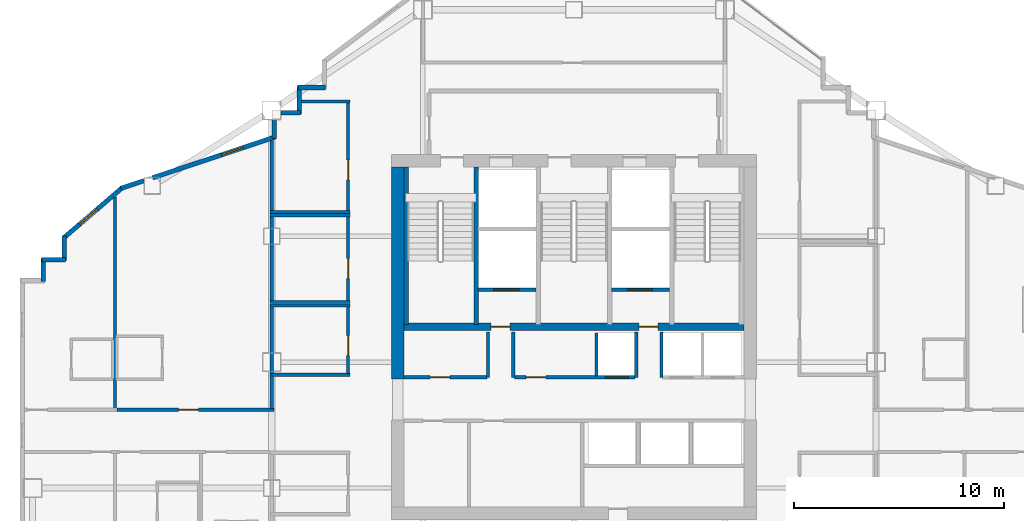
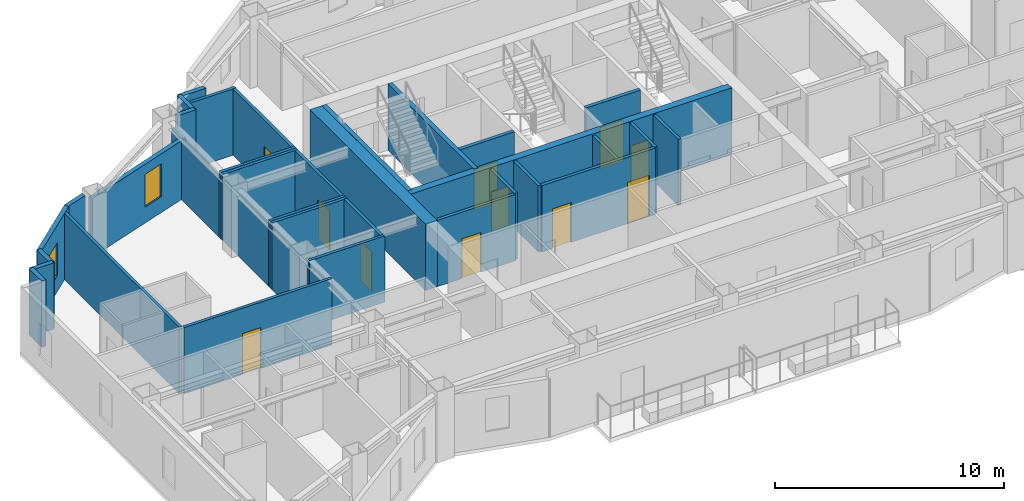
# One storey, part 6 of 12: 38 walls, 11 doors, 2 windows, 13 openings.
"""IFC4 building model written with IfcOpenShell, lengths in metres."""

from ifc_helpers import new_model, si_unit, direction, frame, frame_2d, origin, place, context, subcontext, project, spatial, rectangle, extrude, material, layer, layer_set, type_object, element, fill, save


model = new_model("IFC4")

# Units and contexts
model_context = context("Model", 3, precision=1e-05, world=origin(), true_north=direction((0.0, 1.0)))
body_context = subcontext(model_context, "Body", "Model", "MODEL_VIEW")
ifc_project = project(units=[si_unit("LENGTHUNIT", "METRE"), si_unit("AREAUNIT", "SQUARE_METRE"), si_unit("VOLUMEUNIT", "CUBIC_METRE"), si_unit("PLANEANGLEUNIT", "RADIAN"), si_unit("MASSUNIT", "GRAM", prefix="KILO")], contexts=[model_context])

# Site, building, storey
site_placement = place(None, origin())
site = spatial("IfcSite", under=ifc_project, at=site_placement, CompositionType="ELEMENT")
building_placement = place(site_placement, origin())
building = spatial("IfcBuilding", under=site, at=building_placement, Name="Haolan Belvedere Tower", CompositionType="ELEMENT")
storey_placement = place(building_placement, frame((0.0, 0.0, 203.199951171875)))
storey = spatial("IfcBuildingStorey", under=building, at=storey_placement, Name="L51", CompositionType="ELEMENT", Elevation=203.199951171875)

# Walls
ifc_material_1 = material(Name="Concrete C60/75", Category="concrete")
ifc_layer_1 = layer(ifc_material_1, 0.60009765625, Name="Concrete C60/75")
ifc_layer_set_1 = layer_set([ifc_layer_1], Name="Concrete C60/75")
wall_type_1 = type_object("IfcWallType", Name="WL-CORE-600", PredefinedType="SHEAR", material=ifc_layer_set_1)
wall_1_placement = place(storey_placement, frame((30.0, 32.800048828125, 0.0), z_axis=(0.0, 0.0, 1.0), x_axis=(0.0, 1.0, 0.0)))
element("IfcWall", 1, at=wall_1_placement, inside=storey, type_object=wall_type_1, Name="L51 central core shear wall WN", PredefinedType="SHEAR", context=body_context, shape_type="SweptSolid", body=[
    extrude(rectangle(XDim=10.099853515625, YDim=0.60009765625, at=frame_2d((5.0498046875, 0.0))), origin(), (0.0, 0.0, 1.0), 3.5400390625),
])
ifc_material_2 = material(Name="Precast concrete C40/50", Category="concrete")
ifc_layer_2 = layer(ifc_material_2, 0.219970703125, Name="Precast concrete C40/50")
ifc_layer_set_2 = layer_set([ifc_layer_2], Name="Precast concrete C40/50")
wall_type_2 = type_object("IfcWallType", Name="WL-EXT-220", PredefinedType="SOLIDWALL", material=ifc_layer_set_2)
for number, where, z_axis, x_axis, name in (
    (2, (26.56494140625, 46.68994140625, 0.0), (0.0, 0.0, 1.0), (-1.0, 0.0, 0.0), "L51 pale-metal exterior spandrel wall 25.1"),
    (3, (25.31005859375, 46.7451171875, 0.0), (0.0, 0.0, 1.0), (0.0, -1.0, 0.0), "L51 pale-metal exterior spandrel wall 26.1"),
):
    element("IfcWall", number, at=place(storey_placement, frame(where, z_axis=z_axis, x_axis=x_axis)), inside=storey, type_object=wall_type_2, Name=name, PredefinedType="SOLIDWALL", context=body_context, shape_type="SweptSolid", body=[
        extrude(rectangle(XDim=1.31005859375, YDim=0.219970703125, at=frame_2d((0.655029296875, 0.0))), origin(), (0.0, 0.0, 1.0), 3.5400390625),
    ])
wall_2_placement = place(storey_placement, frame((25.364990234375, 45.489990234375, 0.0), z_axis=(0.0, 0.0, 1.0), x_axis=(-1.0, 0.0, 0.0)))
element("IfcWall", 4, at=wall_2_placement, inside=storey, type_object=wall_type_2, Name="L51 pale-metal exterior spandrel wall 27.1", PredefinedType="SOLIDWALL", context=body_context, shape_type="SweptSolid", body=[
    extrude(rectangle(XDim=0.923095703125, YDim=0.219970703125, at=frame_2d((0.46142578125, 0.0))), origin(), (0.0, 0.0, 1.0), 3.5400390625),
])
wall_3_placement = place(storey_placement, frame((24.110107421875, 45.157958984375, 0.0), z_axis=(0.0, 0.0, 1.0), x_axis=(0.0, -1.0, 0.0)))
element("IfcWall", 5, at=wall_3_placement, inside=storey, type_object=wall_type_2, Name="L51 pale-metal exterior spandrel wall 28.1", PredefinedType="SOLIDWALL", context=body_context, shape_type="SweptSolid", body=[
    extrude(rectangle(XDim=0.892333984375, YDim=0.219970703125, at=frame_2d((0.4462890625, 0.0))), origin(), (0.0, 0.0, 1.0), 3.135009765625),
])

# Wall, opening, window
wall_4_placement = place(storey_placement, frame((24.162109375, 44.338134765625, 0.0), z_axis=(0.0, 0.0, 1.0), x_axis=(-0.948687265055, -0.316215864755, 0.0)))
wall_4 = element("IfcWall", 6, at=wall_4_placement, inside=storey, type_object=wall_type_2, Name="L51 pale-metal exterior spandrel wall 29.1", PredefinedType="SOLIDWALL", context=body_context, shape_type="SweptSolid", body=[
    extrude(rectangle(XDim=6.154052734375, YDim=0.219970703125, at=frame_2d((3.0771484375, 0.0))), origin(), (0.0, 0.0, 1.0), 3.135009765625),
])
opening_1_placement = place(wall_4_placement, frame((1.60009765625, 0.0, 0.85009765625)))
opening_1 = element("IfcOpeningElement", 7, at=opening_1_placement, cuts=wall_4, Name="Opening W-03", PredefinedType="OPENING", context=body_context, shape_type="SweptSolid", body=[
    extrude(rectangle(XDim=1.10009765625, YDim=1.75, at=frame_2d((0.550048828125, 0.875))), frame((0.0, 0.119873046875, 0.0), z_axis=(0.0, -1.0, 0.0), x_axis=(1.0, 0.0, 0.0)), (0.0, 0.0, 1.0), 0.239990234375),
])
ifc_material_3 = material(Name="Anodised aluminium 6063-T6 and Low-E glass", Category="aluminium")
window_type = type_object("IfcWindowType", Name="WN-DECO-Z3", PartitioningType="SINGLE_PANEL", PredefinedType="WINDOW", material=ifc_material_3)
window_1_placement = place(opening_1_placement, origin())
window_1 = element("IfcWindow", 8, at=window_1_placement, inside=storey, type_object=window_type, Name="L51 Art Deco chevron window 1", OverallHeight=1.75, OverallWidth=1.10009765625, PartitioningType="SINGLE_PANEL", PredefinedType="WINDOW", context=body_context, shape_type="SweptSolid", body=[
    extrude(rectangle(XDim=1.10009765625, YDim=1.75, at=frame_2d((0.550048828125, 0.875))), frame((0.0, 0.030029296875, 0.0), z_axis=(0.0, -1.0, 0.0), x_axis=(1.0, 0.0, 0.0)), (0.0, 0.0, 1.0), 0.06005859375),
])
fill(opening_1, window_1)

# Wall
wall_5_placement = place(storey_placement, frame((17.907958984375, 42.25341796875, 0.0), z_axis=(0.0, 0.0, 1.0), x_axis=(-0.948662335685, -0.316290646166, 0.0)))
element("IfcWall", 9, at=wall_5_placement, inside=storey, type_object=wall_type_2, Name="L51 pale-metal exterior spandrel wall 29.2", PredefinedType="SOLIDWALL", context=body_context, shape_type="SweptSolid", body=[
    extrude(rectangle(XDim=1.164794921875, YDim=0.219970703125, at=frame_2d((0.58251953125, 0.0))), origin(), (0.0, 0.0, 1.0), 3.5400390625),
])

# Wall, opening, window
wall_6_placement = place(storey_placement, frame((16.89697265625, 41.938232421875, 0.0), z_axis=(0.0, 0.0, 1.0), x_axis=(-0.759279729622, -0.650764390686, 0.0)))
wall_6 = element("IfcWall", 10, at=wall_6_placement, inside=storey, type_object=wall_type_2, Name="L51 pale-metal exterior spandrel wall 30.1", PredefinedType="SOLIDWALL", context=body_context, shape_type="SweptSolid", body=[
    extrude(rectangle(XDim=3.725830078125, YDim=0.219970703125, at=frame_2d((1.86279296875, 0.0))), origin(), (0.0, 0.0, 1.0), 3.5400390625),
])
opening_2_placement = place(wall_6_placement, frame((1.60009765625, 0.0, 0.85009765625)))
opening_2 = element("IfcOpeningElement", 11, at=opening_2_placement, cuts=wall_6, Name="Opening W-03", PredefinedType="OPENING", context=body_context, shape_type="SweptSolid", body=[
    extrude(rectangle(XDim=1.10009765625, YDim=1.75, at=frame_2d((0.550048828125, 0.875))), frame((0.0, 0.119873046875, 0.0), z_axis=(0.0, -1.0, 0.0), x_axis=(1.0, 0.0, 0.0)), (0.0, 0.0, 1.0), 0.239990234375),
])
window_2_placement = place(opening_2_placement, origin())
window_2 = element("IfcWindow", 12, at=window_2_placement, inside=storey, type_object=window_type, Name="L51 Art Deco chevron window 1", OverallHeight=1.75, OverallWidth=1.10009765625, PartitioningType="SINGLE_PANEL", PredefinedType="WINDOW", context=body_context, shape_type="SweptSolid", body=[
    extrude(rectangle(XDim=1.10009765625, YDim=1.75, at=frame_2d((0.550048828125, 0.875))), frame((0.0, 0.030029296875, 0.0), z_axis=(0.0, -1.0, 0.0), x_axis=(1.0, 0.0, 0.0)), (0.0, 0.0, 1.0), 0.06005859375),
])
fill(opening_2, window_2)

# Walls
wall_7_placement = place(storey_placement, frame((14.110107421875, 39.6044921875, 0.0), z_axis=(0.0, 0.0, 1.0), x_axis=(0.0, -1.0, 0.0)))
element("IfcWall", 13, at=wall_7_placement, inside=storey, type_object=wall_type_2, Name="L51 pale-metal exterior spandrel wall 31.1", PredefinedType="SOLIDWALL", context=body_context, shape_type="SweptSolid", body=[
    extrude(rectangle(XDim=1.16943359375, YDim=0.219970703125, at=frame_2d((0.584716796875, 0.0))), origin(), (0.0, 0.0, 1.0), 3.5400390625),
])
wall_8_placement = place(storey_placement, frame((14.1650390625, 38.489990234375, 0.0), z_axis=(0.0, 0.0, 1.0), x_axis=(-1.0, 0.0, 0.0)))
element("IfcWall", 14, at=wall_8_placement, inside=storey, type_object=wall_type_2, Name="L51 pale-metal exterior spandrel wall 32.1", PredefinedType="SOLIDWALL", context=body_context, shape_type="SweptSolid", body=[
    extrude(rectangle(XDim=1.110107421875, YDim=0.219970703125, at=frame_2d((0.55517578125, 0.0))), origin(), (0.0, 0.0, 1.0), 3.5400390625),
])
wall_9_placement = place(storey_placement, frame((13.110107421875, 38.544921875, 0.0), z_axis=(0.0, 0.0, 1.0), x_axis=(0.0, -1.0, 0.0)))
element("IfcWall", 15, at=wall_9_placement, inside=storey, type_object=wall_type_2, Name="L51 pale-metal exterior spandrel wall 33.1", PredefinedType="SOLIDWALL", context=body_context, shape_type="SweptSolid", body=[
    extrude(rectangle(XDim=1.10986328125, YDim=0.219970703125, at=frame_2d((0.554931640625, 0.0))), origin(), (0.0, 0.0, 1.0), 3.5400390625),
])
ifc_material_4 = material(Name="Double gypsum acoustic stud partition", Category="masonry")
ifc_layer_3 = layer(ifc_material_4, 0.14990234375, Name="Double gypsum acoustic stud partition")
ifc_layer_set_3 = layer_set([ifc_layer_3], Name="Double gypsum acoustic stud partition")
wall_type_3 = type_object("IfcWallType", Name="WL-PART-150", PredefinedType="PARTITIONING", material=ifc_layer_set_3)
for number, where, z_axis, x_axis, name in (
    (16, (23.919921875, 36.300048828125, 0.0), (0.0, 0.0, 1.0), (1.0, 0.0, 0.0), "L51 interior partition IW-L51-AWC-N"),
    (17, (23.919921875, 33.0, 0.0), (0.0, 0.0, 1.0), (1.0, 0.0, 0.0), "L51 interior partition IW-L51-AWC-S"),
):
    element("IfcWall", number, at=place(storey_placement, frame(where, z_axis=z_axis, x_axis=x_axis)), inside=storey, type_object=wall_type_3, Name=name, PredefinedType="PARTITIONING", context=body_context, shape_type="SweptSolid", body=[
        extrude(rectangle(XDim=3.800048828125, YDim=0.14990234375, at=frame_2d((1.89990234375, 0.0))), origin(), (0.0, 0.0, 1.0), 3.5400390625),
    ])
wall_10_placement = place(storey_placement, frame((24.0, 33.06005859375, 0.0), z_axis=(0.0, 0.0, 1.0), x_axis=(0.0, 1.0, 0.0)))
element("IfcWall", 18, at=wall_10_placement, inside=storey, type_object=wall_type_3, Name="L51 interior partition IW-L51-AWC-W", PredefinedType="PARTITIONING", context=body_context, shape_type="SweptSolid", body=[
    extrude(rectangle(XDim=3.179931640625, YDim=0.14990234375, at=frame_2d((1.58984375, 0.0))), origin(), (0.0, 0.0, 1.0), 3.135009765625),
])

# Wall, opening, door
wall_11_placement = place(storey_placement, frame((27.639892578125, 33.06005859375, 0.0), z_axis=(0.0, 0.0, 1.0), x_axis=(0.0, 1.0, 0.0)))
wall_11 = element("IfcWall", 19, at=wall_11_placement, inside=storey, type_object=wall_type_3, Name="L51 interior partition IW-L51-AWC-E", PredefinedType="PARTITIONING", context=body_context, shape_type="SweptSolid", body=[
    extrude(rectangle(XDim=3.179931640625, YDim=0.14990234375, at=frame_2d((1.58984375, 0.0))), origin(), (0.0, 0.0, 1.0), 3.5400390625),
])
opening_3_placement = place(wall_11_placement, frame((1.81005859375, 0.0, 0.0), z_axis=(0.0, 0.0, 1.0), x_axis=(-1.0, 0.0, 0.0)))
opening_3 = element("IfcOpeningElement", 20, at=opening_3_placement, cuts=wall_11, Name="Opening ID-03", PredefinedType="OPENING", context=body_context, shape_type="SweptSolid", body=[
    extrude(rectangle(XDim=0.949951171875, YDim=2.1201171875, at=frame_2d((0.47509765625, 1.06005859375))), frame((0.0, 0.0849609375, 0.0), z_axis=(0.0, -1.0, 0.0), x_axis=(1.0, 0.0, 0.0)), (0.0, 0.0, 1.0), 0.169921875),
])
ifc_material_5 = material(Name="Painted solid-core timber", Category="wood")
door_type_1 = type_object("IfcDoorType", Name="DR-INT-950", OperationType="NOTDEFINED", PredefinedType="DOOR", material=ifc_material_5)
door_1_placement = place(opening_3_placement, origin())
door_1 = element("IfcDoor", 21, at=door_1_placement, inside=storey, type_object=door_type_1, Name="L51 door ID-L51-AWC", OperationType="SINGLE_SWING_LEFT", OverallHeight=2.1201171875, OverallWidth=0.949951171875, PredefinedType="DOOR", context=body_context, shape_type="SweptSolid", body=[
    extrude(rectangle(XDim=0.949951171875, YDim=2.1201171875, at=frame_2d((0.47509765625, 1.06005859375))), frame((0.0, 0.02490234375, 0.0), z_axis=(0.0, -1.0, 0.0), x_axis=(1.0, 0.0, 0.0)), (0.0, 0.0, 1.0), 0.050048828125),
])
fill(opening_3, door_1)

# Walls
for number, where, z_axis, x_axis, name in (
    (22, (23.919921875, 40.60009765625, 0.0), (0.0, 0.0, 1.0), (1.0, 0.0, 0.0), "L51 interior partition IW-L51-PNT-N"),
    (23, (23.919921875, 36.4599609375, 0.0), (0.0, 0.0, 1.0), (1.0, 0.0, 0.0), "L51 interior partition IW-L51-PNT-S"),
):
    element("IfcWall", number, at=place(storey_placement, frame(where, z_axis=z_axis, x_axis=x_axis)), inside=storey, type_object=wall_type_3, Name=name, PredefinedType="PARTITIONING", context=body_context, shape_type="SweptSolid", body=[
        extrude(rectangle(XDim=3.800048828125, YDim=0.14990234375, at=frame_2d((1.89990234375, 0.0))), origin(), (0.0, 0.0, 1.0), 3.5400390625),
    ])
wall_12_placement = place(storey_placement, frame((24.0, 36.52001953125, 0.0), z_axis=(0.0, 0.0, 1.0), x_axis=(0.0, 1.0, 0.0)))
element("IfcWall", 24, at=wall_12_placement, inside=storey, type_object=wall_type_3, Name="L51 interior partition IW-L51-PNT-W", PredefinedType="PARTITIONING", context=body_context, shape_type="SweptSolid", body=[
    extrude(rectangle(XDim=4.02001953125, YDim=0.14990234375, at=frame_2d((2.010009765625, 0.0))), origin(), (0.0, 0.0, 1.0), 3.135009765625),
])

# Wall, opening, door
wall_13_placement = place(storey_placement, frame((27.639892578125, 36.52001953125, 0.0), z_axis=(0.0, 0.0, 1.0), x_axis=(0.0, 1.0, 0.0)))
wall_13 = element("IfcWall", 25, at=wall_13_placement, inside=storey, type_object=wall_type_3, Name="L51 interior partition IW-L51-PNT-E", PredefinedType="PARTITIONING", context=body_context, shape_type="SweptSolid", body=[
    extrude(rectangle(XDim=4.02001953125, YDim=0.14990234375, at=frame_2d((2.010009765625, 0.0))), origin(), (0.0, 0.0, 1.0), 3.5400390625),
])
opening_4_placement = place(wall_13_placement, frame((2.010009765625, 0.0, 0.0), z_axis=(0.0, 0.0, 1.0), x_axis=(-1.0, 0.0, 0.0)))
opening_4 = element("IfcOpeningElement", 26, at=opening_4_placement, cuts=wall_13, Name="Opening ID-03", PredefinedType="OPENING", context=body_context, shape_type="SweptSolid", body=[
    extrude(rectangle(XDim=0.949951171875, YDim=2.1201171875, at=frame_2d((0.47509765625, 1.06005859375))), frame((0.0, 0.0849609375, 0.0), z_axis=(0.0, -1.0, 0.0), x_axis=(1.0, 0.0, 0.0)), (0.0, 0.0, 1.0), 0.169921875),
])
door_2_placement = place(opening_4_placement, origin())
door_2 = element("IfcDoor", 27, at=door_2_placement, inside=storey, type_object=door_type_1, Name="L51 door ID-L51-PNT", OperationType="SINGLE_SWING_RIGHT", OverallHeight=2.1201171875, OverallWidth=0.949951171875, PredefinedType="DOOR", context=body_context, shape_type="SweptSolid", body=[
    extrude(rectangle(XDim=0.949951171875, YDim=2.1201171875, at=frame_2d((0.47509765625, 1.06005859375))), frame((0.0, 0.02490234375, 0.0), z_axis=(0.0, -1.0, 0.0), x_axis=(1.0, 0.0, 0.0)), (0.0, 0.0, 1.0), 0.050048828125),
])
fill(opening_4, door_2)

# Walls
wall_14_placement = place(storey_placement, frame((25.412109375, 46.02001953125, 0.0), z_axis=(0.0, 0.0, 1.0), x_axis=(1.0, 0.0, 0.0)))
element("IfcWall", 28, at=wall_14_placement, inside=storey, type_object=wall_type_3, Name="L51 interior partition IW-L51-STY-N", PredefinedType="PARTITIONING", context=body_context, shape_type="SweptSolid", body=[
    extrude(rectangle(XDim=2.307861328125, YDim=0.14990234375, at=frame_2d((1.15380859375, 0.0))), origin(), (0.0, 0.0, 1.0), 3.5400390625),
])
wall_15_placement = place(storey_placement, frame((23.919921875, 40.760009765625, 0.0), z_axis=(0.0, 0.0, 1.0), x_axis=(1.0, 0.0, 0.0)))
element("IfcWall", 29, at=wall_15_placement, inside=storey, type_object=wall_type_3, Name="L51 interior partition IW-L51-STY-S", PredefinedType="PARTITIONING", context=body_context, shape_type="SweptSolid", body=[
    extrude(rectangle(XDim=3.800048828125, YDim=0.14990234375, at=frame_2d((1.89990234375, 0.0))), origin(), (0.0, 0.0, 1.0), 3.5400390625),
])
wall_16_placement = place(storey_placement, frame((24.0, 40.820068359375, 0.0), z_axis=(0.0, 0.0, 1.0), x_axis=(0.0, 1.0, 0.0)))
element("IfcWall", 30, at=wall_16_placement, inside=storey, type_object=wall_type_3, Name="L51 interior partition IW-L51-STY-W", PredefinedType="PARTITIONING", context=body_context, shape_type="SweptSolid", body=[
    extrude(rectangle(XDim=3.3564453125, YDim=0.14990234375, at=frame_2d((1.67822265625, 0.0))), origin(), (0.0, 0.0, 1.0), 3.135009765625),
])

# Wall, opening, door
wall_17_placement = place(storey_placement, frame((27.639892578125, 40.820068359375, 0.0), z_axis=(0.0, 0.0, 1.0), x_axis=(0.0, 1.0, 0.0)))
wall_17 = element("IfcWall", 31, at=wall_17_placement, inside=storey, type_object=wall_type_3, Name="L51 interior partition IW-L51-STY-E", PredefinedType="PARTITIONING", context=body_context, shape_type="SweptSolid", body=[
    extrude(rectangle(XDim=5.139892578125, YDim=0.14990234375, at=frame_2d((2.56982421875, 0.0))), origin(), (0.0, 0.0, 1.0), 3.5400390625),
])
opening_5_placement = place(wall_17_placement, frame((2.409912109375, 0.0, 0.0), z_axis=(0.0, 0.0, 1.0), x_axis=(-1.0, 0.0, 0.0)))
opening_5 = element("IfcOpeningElement", 32, at=opening_5_placement, cuts=wall_17, Name="Opening ID-03", PredefinedType="OPENING", context=body_context, shape_type="SweptSolid", body=[
    extrude(rectangle(XDim=0.949951171875, YDim=2.1201171875, at=frame_2d((0.47509765625, 1.06005859375))), frame((0.0, 0.0849609375, 0.0), z_axis=(0.0, -1.0, 0.0), x_axis=(1.0, 0.0, 0.0)), (0.0, 0.0, 1.0), 0.169921875),
])
door_3_placement = place(opening_5_placement, origin())
door_3 = element("IfcDoor", 33, at=door_3_placement, inside=storey, type_object=door_type_1, Name="L51 door ID-L51-STY", OperationType="SINGLE_SWING_LEFT", OverallHeight=2.1201171875, OverallWidth=0.949951171875, PredefinedType="DOOR", context=body_context, shape_type="SweptSolid", body=[
    extrude(rectangle(XDim=0.949951171875, YDim=2.1201171875, at=frame_2d((0.47509765625, 1.06005859375))), frame((0.0, 0.02490234375, 0.0), z_axis=(0.0, -1.0, 0.0), x_axis=(1.0, 0.0, 0.0)), (0.0, 0.0, 1.0), 0.050048828125),
])
fill(opening_5, door_3)

# Wall
wall_18_placement = place(storey_placement, frame((16.52001953125, 31.389892578125, 0.0), z_axis=(0.0, 0.0, 1.0), x_axis=(0.0, 1.0, 0.0)))
element("IfcWall", 34, at=wall_18_placement, inside=storey, type_object=wall_type_3, Name="L51 interior partition IW-L51-T2N1-E", PredefinedType="PARTITIONING", context=body_context, shape_type="SweptSolid", body=[
    extrude(rectangle(XDim=10.0908203125, YDim=0.14990234375, at=frame_2d((5.04541015625, 0.0))), origin(), (0.0, 0.0, 1.0), 3.5400390625),
])

# Wall, opening, door
wall_19_placement = place(storey_placement, frame((16.6220703125, 31.330078125, 0.0), z_axis=(0.0, 0.0, 1.0), x_axis=(1.0, 0.0, 0.0)))
wall_19 = element("IfcWall", 35, at=wall_19_placement, inside=storey, type_object=wall_type_3, Name="L51 interior partition IW-L51-T2N2-S", PredefinedType="PARTITIONING", context=body_context, shape_type="SweptSolid", body=[
    extrude(rectangle(XDim=7.47802734375, YDim=0.14990234375, at=frame_2d((3.739013671875, 0.0))), origin(), (0.0, 0.0, 1.0), 3.5400390625),
])
opening_6_placement = place(wall_19_placement, frame((2.935546875, 0.0, 0.0)))
opening_6 = element("IfcOpeningElement", 36, at=opening_6_placement, cuts=wall_19, Name="Opening ID-01", PredefinedType="OPENING", context=body_context, shape_type="SweptSolid", body=[
    extrude(rectangle(XDim=0.949951171875, YDim=2.179931640625, at=frame_2d((0.47509765625, 1.08984375))), frame((0.0, 0.0849609375, 0.0), z_axis=(0.0, -1.0, 0.0), x_axis=(1.0, 0.0, 0.0)), (0.0, 0.0, 1.0), 0.169921875),
])
ifc_material_6 = material(Name="Acoustic walnut veneer fire-rated timber", Category="wood")
door_type_2 = type_object("IfcDoorType", Name="DR-SUITE-950", OperationType="NOTDEFINED", PredefinedType="DOOR", material=ifc_material_6)
door_4_placement = place(opening_6_placement, origin())
door_4 = element("IfcDoor", 37, at=door_4_placement, inside=storey, type_object=door_type_2, Name="L51 door ID-L51-T2N2-ENT", OperationType="SINGLE_SWING_RIGHT", OverallHeight=2.179931640625, OverallWidth=0.949951171875, PredefinedType="DOOR", context=body_context, shape_type="SweptSolid", body=[
    extrude(rectangle(XDim=0.949951171875, YDim=2.179931640625, at=frame_2d((0.47509765625, 1.08984375))), frame((0.0, 0.02490234375, 0.0), z_axis=(0.0, -1.0, 0.0), x_axis=(1.0, 0.0, 0.0)), (0.0, 0.0, 1.0), 0.050048828125),
])
fill(opening_6, door_4)

# Walls
wall_20_placement = place(storey_placement, frame((24.0, 31.389892578125, 0.0), z_axis=(0.0, 0.0, 1.0), x_axis=(0.0, 1.0, 0.0)))
element("IfcWall", 38, at=wall_20_placement, inside=storey, type_object=wall_type_3, Name="L51 interior partition IW-L51-T2N2-E", PredefinedType="PARTITIONING", context=body_context, shape_type="SweptSolid", body=[
    extrude(rectangle(XDim=1.550048828125, YDim=0.14990234375, at=frame_2d((0.77490234375, 0.0))), origin(), (0.0, 0.0, 1.0), 3.135009765625),
])
ifc_material_7 = material(Name="Gypsum fire shaftwall assembly", Category="masonry")
ifc_layer_4 = layer(ifc_material_7, 0.1650390625, Name="Gypsum fire shaftwall assembly")
ifc_layer_set_4 = layer_set([ifc_layer_4], Name="Gypsum fire shaftwall assembly")
wall_type_4 = type_object("IfcWallType", Name="WL-SHAFT-160", PredefinedType="SOLIDWALL", material=ifc_layer_set_4)
for number, where, z_axis, x_axis, name in (
    (39, (34.31005859375, 32.8798828125, 0.0), (0.0, 0.0, 1.0), (0.0, 1.0, 0.0), "L51 interior partition IW-L51-SVP-W-SV1"),
    (40, (35.510009765625, 32.8798828125, 0.0), (0.0, 0.0, 1.0), (0.0, 1.0, 0.0), "L51 interior partition IW-L51-SVP-E-SV1"),
    (41, (41.3701171875, 32.8798828125, 0.0), (0.0, 0.0, 1.0), (0.0, 1.0, 0.0), "L51 interior partition IW-L51-SVP-W-SV2"),
    (42, (42.570068359375, 32.8798828125, 0.0), (0.0, 0.0, 1.0), (0.0, 1.0, 0.0), "L51 interior partition IW-L51-SVP-E-SV2"),
):
    element("IfcWall", number, at=place(storey_placement, frame(where, z_axis=z_axis, x_axis=x_axis)), inside=storey, type_object=wall_type_4, Name=name, PredefinedType="SOLIDWALL", context=body_context, shape_type="SweptSolid", body=[
        extrude(rectangle(XDim=2.170166015625, YDim=0.14990234375, at=frame_2d((1.0849609375, 0.0))), origin(), (0.0, 0.0, 1.0), 3.5400390625),
    ])

# Wall, opening, door
wall_21_placement = place(storey_placement, frame((30.300048828125, 32.8798828125, 0.0), z_axis=(0.0, 0.0, 1.0), x_axis=(1.0, 0.0, 0.0)))
wall_21 = element("IfcWall", 43, at=wall_21_placement, inside=storey, type_object=wall_type_4, Name="L51 interior partition IW-L51-ROW-PN1", PredefinedType="SOLIDWALL", context=body_context, shape_type="SweptSolid", body=[
    extrude(rectangle(XDim=3.949951171875, YDim=0.159912109375, at=frame_2d((1.97509765625, 0.0))), origin(), (0.0, 0.0, 1.0), 3.5400390625),
])
opening_7_placement = place(wall_21_placement, frame((2.199951171875, 0.0, 0.0), z_axis=(0.0, 0.0, 1.0), x_axis=(-1.0, 0.0, 0.0)))
opening_7 = element("IfcOpeningElement", 44, at=opening_7_placement, cuts=wall_21, Name="Opening ID-03", PredefinedType="OPENING", context=body_context, shape_type="SweptSolid", body=[
    extrude(rectangle(XDim=0.949951171875, YDim=2.1201171875, at=frame_2d((0.47509765625, 1.06005859375))), frame((0.0, 0.08984375, 0.0), z_axis=(0.0, -1.0, 0.0), x_axis=(1.0, 0.0, 0.0)), (0.0, 0.0, 1.0), 0.179931640625),
])
door_5_placement = place(opening_7_placement, origin())
door_5 = element("IfcDoor", 45, at=door_5_placement, inside=storey, type_object=door_type_1, Name="L51 door ID-L51-CD-RPLW", OperationType="SINGLE_SWING_LEFT", OverallHeight=2.1201171875, OverallWidth=0.949951171875, PredefinedType="DOOR", context=body_context, shape_type="SweptSolid", body=[
    extrude(rectangle(XDim=0.949951171875, YDim=2.1201171875, at=frame_2d((0.47509765625, 1.06005859375))), frame((0.0, 0.02490234375, 0.0), z_axis=(0.0, -1.0, 0.0), x_axis=(1.0, 0.0, 0.0)), (0.0, 0.0, 1.0), 0.050048828125),
])
fill(opening_7, door_5)

# Wall, openings, doors
wall_22_placement = place(storey_placement, frame((35.570068359375, 32.8798828125, 0.0), z_axis=(0.0, 0.0, 1.0), x_axis=(1.0, 0.0, 0.0)))
wall_22 = element("IfcWall", 46, at=wall_22_placement, inside=storey, type_object=wall_type_4, Name="L51 interior partition IW-L51-ROW-PN2", PredefinedType="SOLIDWALL", context=body_context, shape_type="SweptSolid", body=[
    extrude(rectangle(XDim=5.739990234375, YDim=0.159912109375, at=frame_2d((2.8701171875, 0.0))), origin(), (0.0, 0.0, 1.0), 3.5400390625),
])
opening_8_placement = place(wall_22_placement, frame((1.489990234375, 0.0, 0.0), z_axis=(0.0, 0.0, 1.0), x_axis=(-1.0, 0.0, 0.0)))
opening_8 = element("IfcOpeningElement", 47, at=opening_8_placement, cuts=wall_22, Name="Opening ID-03", PredefinedType="OPENING", context=body_context, shape_type="SweptSolid", body=[
    extrude(rectangle(XDim=0.949951171875, YDim=2.1201171875, at=frame_2d((0.47509765625, 1.06005859375))), frame((0.0, 0.08984375, 0.0), z_axis=(0.0, -1.0, 0.0), x_axis=(1.0, 0.0, 0.0)), (0.0, 0.0, 1.0), 0.179931640625),
])
opening_9_placement = place(wall_22_placement, frame((5.43017578125, 0.0, 0.0), z_axis=(0.0, 0.0, 1.0), x_axis=(-1.0, 0.0, 0.0)))
opening_9 = element("IfcOpeningElement", 48, at=opening_9_placement, cuts=wall_22, Name="Opening LD-01", PredefinedType="OPENING", context=body_context, shape_type="SweptSolid", body=[
    extrude(rectangle(XDim=1.10009765625, YDim=2.199951171875, at=frame_2d((0.550048828125, 1.10009765625))), frame((0.0, 0.08984375, 0.0), z_axis=(0.0, -1.0, 0.0), x_axis=(1.0, 0.0, 0.0)), (0.0, 0.0, 1.0), 0.179931640625),
])
door_6_placement = place(opening_8_placement, origin())
door_6 = element("IfcDoor", 49, at=door_6_placement, inside=storey, type_object=door_type_1, Name="L51 door ID-L51-CD-RPLE", OperationType="SINGLE_SWING_RIGHT", OverallHeight=2.1201171875, OverallWidth=0.949951171875, PredefinedType="DOOR", context=body_context, shape_type="SweptSolid", body=[
    extrude(rectangle(XDim=0.949951171875, YDim=2.1201171875, at=frame_2d((0.47509765625, 1.06005859375))), frame((0.0, 0.02490234375, 0.0), z_axis=(0.0, -1.0, 0.0), x_axis=(1.0, 0.0, 0.0)), (0.0, 0.0, 1.0), 0.050048828125),
])
fill(opening_8, door_6)
ifc_material_8 = material(Name="Brushed champagne stainless steel 316L", Category="steel")
door_type_3 = type_object("IfcDoorType", Name="DR-LIFT-1100", OperationType="SLIDING_TO_LEFT", PredefinedType="DOOR", material=ifc_material_8)
door_7_placement = place(opening_9_placement, origin())
door_7 = element("IfcDoor", 50, at=door_7_placement, inside=storey, type_object=door_type_3, Name="L51 door ID-L51-LD-PH1", OperationType="SLIDING_TO_RIGHT", OverallHeight=2.199951171875, OverallWidth=1.10009765625, PredefinedType="DOOR", context=body_context, shape_type="SweptSolid", body=[
    extrude(rectangle(XDim=1.10009765625, YDim=2.199951171875, at=frame_2d((0.550048828125, 1.10009765625))), frame((0.0, 0.02490234375, 0.0), z_axis=(0.0, -1.0, 0.0), x_axis=(1.0, 0.0, 0.0)), (0.0, 0.0, 1.0), 0.050048828125),
])
fill(opening_9, door_7)

# Wall
wall_23_placement = place(storey_placement, frame((39.469970703125, 32.949951171875, 0.0), z_axis=(0.0, 0.0, 1.0), x_axis=(0.0, 1.0, 0.0)))
element("IfcWall", 51, at=wall_23_placement, inside=storey, type_object=wall_type_4, Name="L51 interior partition IW-L51-DIV-PL4R", PredefinedType="SOLIDWALL", context=body_context, shape_type="SweptSolid", body=[
    extrude(rectangle(XDim=2.050048828125, YDim=0.14990234375, at=frame_2d((1.02490234375, 0.0))), origin(), (0.0, 0.0, 1.0), 3.5400390625),
])

# Wall, opening, door
ifc_layer_5 = layer(ifc_material_2, 0.179931640625, Name="Precast concrete C40/50")
ifc_layer_set_5 = layer_set([ifc_layer_5], Name="Precast concrete C40/50")
wall_type_5 = type_object("IfcWallType", Name="WL-SHAFT-180", PredefinedType="SOLIDWALL", material=ifc_layer_set_5)
wall_24_placement = place(storey_placement, frame((33.8349609375, 37.050048828125, 0.0), z_axis=(0.0, 0.0, 1.0), x_axis=(1.0, 0.0, 0.0)))
wall_24 = element("IfcWall", 52, at=wall_24_placement, inside=storey, type_object=wall_type_5, Name="L51 interior partition IW-L51-SV1-S", PredefinedType="SOLIDWALL", context=body_context, shape_type="SweptSolid", body=[
    extrude(rectangle(XDim=2.77001953125, YDim=0.179931640625, at=frame_2d((1.385009765625, 0.0))), origin(), (0.0, 0.0, 1.0), 3.5400390625),
])
opening_10_placement = place(wall_24_placement, frame((1.945068359375, 0.0, 0.0), z_axis=(0.0, 0.0, 1.0), x_axis=(-1.0, 0.0, 0.0)))
opening_10 = element("IfcOpeningElement", 53, at=opening_10_placement, cuts=wall_24, Name="Opening LD-02", PredefinedType="OPENING", context=body_context, shape_type="SweptSolid", body=[
    extrude(rectangle(XDim=1.199951171875, YDim=2.199951171875, at=frame_2d((0.60009765625, 1.10009765625))), frame((0.0, 0.099853515625, 0.0), z_axis=(0.0, -1.0, 0.0), x_axis=(1.0, 0.0, 0.0)), (0.0, 0.0, 1.0), 0.199951171875),
])
door_type_4 = type_object("IfcDoorType", Name="DR-LIFT-1200", OperationType="SLIDING_TO_RIGHT", PredefinedType="DOOR", material=ifc_material_8)
door_8_placement = place(opening_10_placement, origin())
door_8 = element("IfcDoor", 54, at=door_8_placement, inside=storey, type_object=door_type_4, Name="L51 door ID-L51-LD-SV1", OperationType="SLIDING_TO_RIGHT", OverallHeight=2.199951171875, OverallWidth=1.199951171875, PredefinedType="DOOR", context=body_context, shape_type="SweptSolid", body=[
    extrude(rectangle(XDim=1.199951171875, YDim=2.199951171875, at=frame_2d((0.60009765625, 1.10009765625))), frame((0.0, 0.02490234375, 0.0), z_axis=(0.0, -1.0, 0.0), x_axis=(1.0, 0.0, 0.0)), (0.0, 0.0, 1.0), 0.050048828125),
])
fill(opening_10, door_8)

wall_25_placement = place(storey_placement, frame((40.195068359375, 37.050048828125, 0.0), z_axis=(0.0, 0.0, 1.0), x_axis=(1.0, 0.0, 0.0)))
wall_25 = element("IfcWall", 55, at=wall_25_placement, inside=storey, type_object=wall_type_5, Name="L51 interior partition IW-L51-SV2-S", PredefinedType="SOLIDWALL", context=body_context, shape_type="SweptSolid", body=[
    extrude(rectangle(XDim=2.77001953125, YDim=0.179931640625, at=frame_2d((1.385009765625, 0.0))), origin(), (0.0, 0.0, 1.0), 3.5400390625),
])
opening_11_placement = place(wall_25_placement, frame((1.945068359375, 0.0, 0.0), z_axis=(0.0, 0.0, 1.0), x_axis=(-1.0, 0.0, 0.0)))
opening_11 = element("IfcOpeningElement", 56, at=opening_11_placement, cuts=wall_25, Name="Opening LD-02", PredefinedType="OPENING", context=body_context, shape_type="SweptSolid", body=[
    extrude(rectangle(XDim=1.199951171875, YDim=2.199951171875, at=frame_2d((0.60009765625, 1.10009765625))), frame((0.0, 0.099853515625, 0.0), z_axis=(0.0, -1.0, 0.0), x_axis=(1.0, 0.0, 0.0)), (0.0, 0.0, 1.0), 0.199951171875),
])
door_9_placement = place(opening_11_placement, origin())
door_9 = element("IfcDoor", 57, at=door_9_placement, inside=storey, type_object=door_type_4, Name="L51 door ID-L51-LD-SV2", OperationType="SLIDING_TO_RIGHT", OverallHeight=2.199951171875, OverallWidth=1.199951171875, PredefinedType="DOOR", context=body_context, shape_type="SweptSolid", body=[
    extrude(rectangle(XDim=1.199951171875, YDim=2.199951171875, at=frame_2d((0.60009765625, 1.10009765625))), frame((0.0, 0.02490234375, 0.0), z_axis=(0.0, -1.0, 0.0), x_axis=(1.0, 0.0, 0.0)), (0.0, 0.0, 1.0), 0.050048828125),
])
fill(opening_11, door_9)

# Walls
ifc_material_9 = material(Name="Concrete C50/60", Category="concrete")
ifc_layer_6 = layer(ifc_material_9, 0.219970703125, Name="Concrete C50/60")
ifc_layer_set_6 = layer_set([ifc_layer_6], Name="Concrete C50/60")
wall_type_6 = type_object("IfcWallType", Name="WL-STAIR-220", PredefinedType="SHEAR", material=ifc_layer_set_6)
for number, where, z_axis, x_axis, name in (
    (58, (30.412109375, 35.389892578125, 0.0), (0.0, 0.0, 1.0), (0.0, 1.0, 0.0), "L51 structural stair core wall ST1W"),
    (59, (33.739990234375, 35.389892578125, 0.0), (0.0, 0.0, 1.0), (0.0, 1.0, 0.0), "L51 structural stair core wall ST1E"),
):
    element("IfcWall", number, at=place(storey_placement, frame(where, z_axis=z_axis, x_axis=x_axis)), inside=storey, type_object=wall_type_6, Name=name, PredefinedType="SHEAR", context=body_context, shape_type="SweptSolid", body=[
        extrude(rectangle(XDim=7.510009765625, YDim=0.219970703125, at=frame_2d((3.7548828125, 0.0))), origin(), (0.0, 0.0, 1.0), 3.5400390625),
    ])

# Wall, openings, doors
ifc_layer_7 = layer(ifc_material_1, 0.360107421875, Name="Concrete C60/75")
ifc_layer_set_7 = layer_set([ifc_layer_7], Name="Concrete C60/75")
wall_type_7 = type_object("IfcWallType", Name="WL-WEB-350", PredefinedType="SHEAR", material=ifc_layer_set_7)
wall_26_placement = place(storey_placement, frame((30.300048828125, 35.2900390625, 0.0), z_axis=(0.0, 0.0, 1.0), x_axis=(1.0, 0.0, 0.0)))
wall_26 = element("IfcWall", 60, at=wall_26_placement, inside=storey, type_object=wall_type_7, Name="L51 central core internal shear web", PredefinedType="SHEAR", context=body_context, shape_type="SweptSolid", body=[
    extrude(rectangle(XDim=16.199951171875, YDim=0.360107421875, at=frame_2d((8.10009765625, 0.0))), origin(), (0.0, 0.0, 1.0), 3.5400390625),
])
opening_12_placement = place(wall_26_placement, frame((5.0498046875, 0.0, 0.0), z_axis=(0.0, 0.0, 1.0), x_axis=(-1.0, 0.0, 0.0)))
opening_12 = element("IfcOpeningElement", 61, at=opening_12_placement, cuts=wall_26, Name="Opening FD-05", PredefinedType="OPENING", context=body_context, shape_type="SweptSolid", body=[
    extrude(rectangle(XDim=0.89990234375, YDim=2.10009765625, at=frame_2d((0.449951171875, 1.050048828125))), frame((0.0, 0.18994140625, 0.0), z_axis=(0.0, -1.0, 0.0), x_axis=(1.0, 0.0, 0.0)), (0.0, 0.0, 1.0), 0.380126953125),
])
opening_13_placement = place(wall_26_placement, frame((12.10986328125, 0.0, 0.0), z_axis=(0.0, 0.0, 1.0), x_axis=(-1.0, 0.0, 0.0)))
opening_13 = element("IfcOpeningElement", 62, at=opening_13_placement, cuts=wall_26, Name="Opening FD-05", PredefinedType="OPENING", context=body_context, shape_type="SweptSolid", body=[
    extrude(rectangle(XDim=0.89990234375, YDim=2.10009765625, at=frame_2d((0.449951171875, 1.050048828125))), frame((0.0, 0.18994140625, 0.0), z_axis=(0.0, -1.0, 0.0), x_axis=(1.0, 0.0, 0.0)), (0.0, 0.0, 1.0), 0.380126953125),
])
ifc_material_10 = material(Name="Galvanised fire-rated steel", Category="steel")
door_type_5 = type_object("IfcDoorType", Name="DR-FD60-900", OperationType="NOTDEFINED", PredefinedType="DOOR", material=ifc_material_10)
door_10_placement = place(opening_12_placement, origin())
door_10 = element("IfcDoor", 63, at=door_10_placement, inside=storey, type_object=door_type_5, Name="L51 door CD-L51-SVL-SV1", OperationType="SINGLE_SWING_RIGHT", OverallHeight=2.10009765625, OverallWidth=0.89990234375, PredefinedType="DOOR", context=body_context, shape_type="SweptSolid", body=[
    extrude(rectangle(XDim=0.89990234375, YDim=2.10009765625, at=frame_2d((0.449951171875, 1.050048828125))), frame((0.0, 0.02490234375, 0.0), z_axis=(0.0, -1.0, 0.0), x_axis=(1.0, 0.0, 0.0)), (0.0, 0.0, 1.0), 0.050048828125),
])
fill(opening_12, door_10)
door_11_placement = place(opening_13_placement, origin())
door_11 = element("IfcDoor", 64, at=door_11_placement, inside=storey, type_object=door_type_5, Name="L51 door CD-L51-SVL-SV2", OperationType="SINGLE_SWING_RIGHT", OverallHeight=2.10009765625, OverallWidth=0.89990234375, PredefinedType="DOOR", context=body_context, shape_type="SweptSolid", body=[
    extrude(rectangle(XDim=0.89990234375, YDim=2.10009765625, at=frame_2d((0.449951171875, 1.050048828125))), frame((0.0, 0.02490234375, 0.0), z_axis=(0.0, -1.0, 0.0), x_axis=(1.0, 0.0, 0.0)), (0.0, 0.0, 1.0), 0.050048828125),
])
fill(opening_13, door_11)

save(model, "model.ifc")
